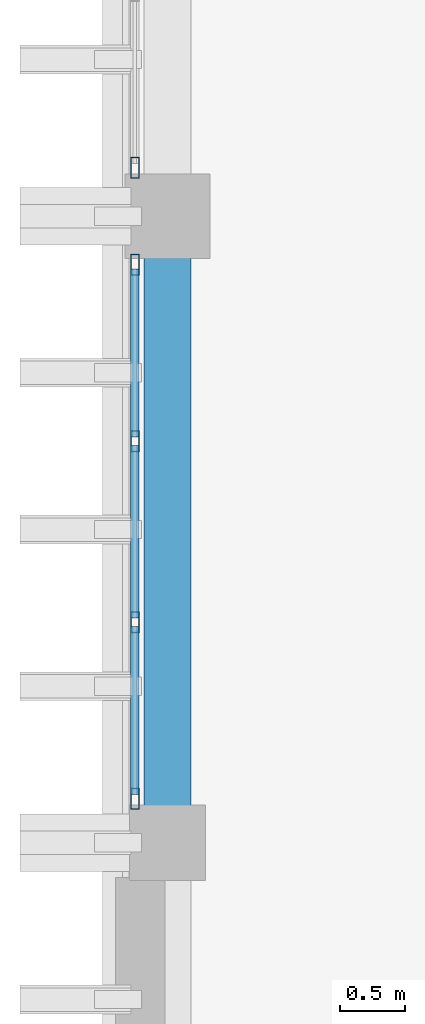
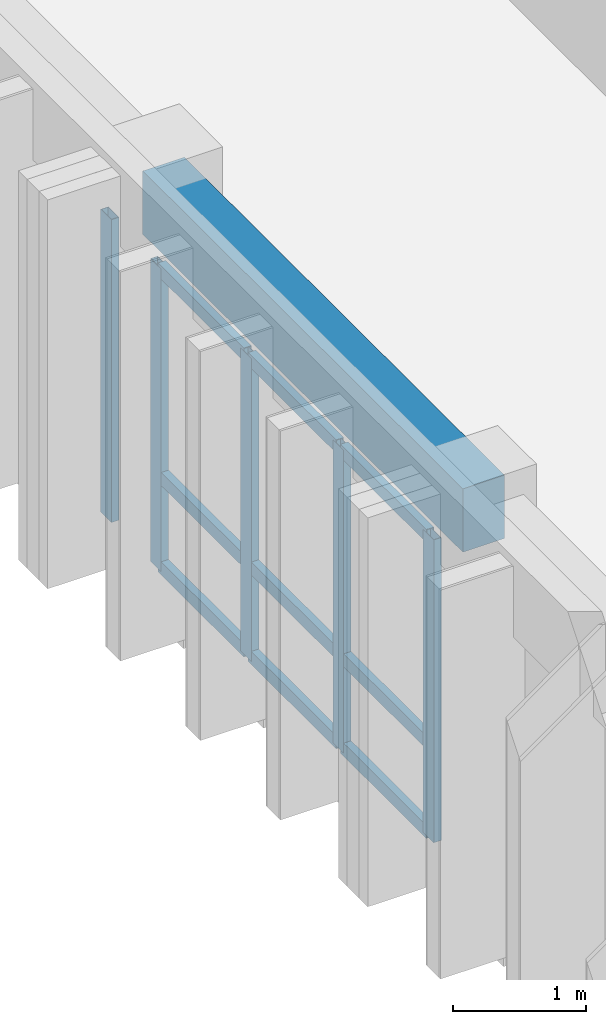
# One storey, part 11 of 49: 14 members, 1 beam, 2 elements without a shape of their own.
"""IFC4 building model written with IfcOpenShell, lengths in metres."""

import ifcopenshell
import ifcopenshell.guid

model = None  # the IFC model being written
_history = None  # IfcOwnerHistory: only IFC2X3 demands one
_inside = {}  # id of a spatial element -> (the spatial element, [elements in it])
_under = {}  # id of a project, library or spatial element -> (it, [spatial elements below it])
_declared = {}  # id of a project -> (the project, [libraries it declares])
_typed = {}  # id of a type object -> (the type object, [elements of that type])
_made_of = {}  # id of a material, layer set ... -> (it, [elements and type objects made of it])


def new_model(schema):
    """Start an empty IFC model of exactly this schema.

    Asked for "IFC4X3", IfcOpenShell would pick the latest addendum, in which some entities
    have other attributes; the version numbers below select the first issue.
    IFC2X3 requires an IfcOwnerHistory on every rooted entity: one is made here for all.
    """
    global model, _history
    if schema == "IFC4X3":
        model = ifcopenshell.file(schema_version=(4, 3, 0, 0))
    else:
        model = ifcopenshell.file(schema=schema)
    _inside.clear()
    _under.clear()
    _declared.clear()
    _typed.clear()
    _made_of.clear()
    _history = None
    if model.schema == "IFC2X3":
        org = make("IfcOrganization", Name="unknown")
        user = make(
            "IfcPersonAndOrganization",
            ThePerson=make("IfcPerson", FamilyName="unknown"),
            TheOrganization=org,
        )
        app = make(
            "IfcApplication",
            ApplicationDeveloper=org,
            Version="unknown",
            ApplicationFullName="unknown",
            ApplicationIdentifier="unknown",
        )
        _history = make(
            "IfcOwnerHistory",
            OwningUser=user,
            OwningApplication=app,
            ChangeAction="ADDED",
            CreationDate=0,
        )
    return model


def make(cls, **values):
    """One entity of the class cls with the attributes given. An attribute that is None is left unset."""
    return model.create_entity(
        cls, **{name: value for name, value in values.items() if value is not None}
    )


def rooted(cls, **values):
    """An entity with a GlobalId (a new one), such as an element, a storey or a relation."""
    return make(cls, GlobalId=ifcopenshell.guid.new(), OwnerHistory=_history, **values)


def si_unit(unit_type, name, prefix=None):
    """IfcSIUnit, for example si_unit("LENGTHUNIT", "METRE", prefix="MILLI")."""
    return make("IfcSIUnit", UnitType=unit_type, Prefix=prefix, Name=name)


def assignment(units):
    """IfcUnitAssignment: the units of a project."""
    return None if units is None else make("IfcUnitAssignment", Units=units)


def point(xyz):
    """IfcCartesianPoint."""
    return None if xyz is None else make("IfcCartesianPoint", Coordinates=xyz)


def direction(xyz):
    """IfcDirection."""
    return None if xyz is None else make("IfcDirection", DirectionRatios=xyz)


def frame(location, z_axis=None, x_axis=None):
    """IfcAxis2Placement3D, a coordinate frame: its origin and axes. An axis left out is left unset."""
    return make(
        "IfcAxis2Placement3D",
        Location=point(location),
        Axis=direction(z_axis),
        RefDirection=direction(x_axis),
    )


def frame_2d(location, x_axis=None):
    """IfcAxis2Placement2D, a coordinate frame in the plane: its origin and x axis."""
    return make(
        "IfcAxis2Placement2D", Location=point(location), RefDirection=direction(x_axis)
    )


def origin():
    """The frame at (0, 0, 0) with its axes left unset."""
    return frame((0.0, 0.0, 0.0))


def origin_2d():
    """The frame at (0, 0) in the plane with its x axis left unset."""
    return frame_2d((0.0, 0.0))


def place(relative_to, where):
    """IfcLocalPlacement: puts the frame where relative to a parent placement (None: the world)."""
    return make(
        "IfcLocalPlacement", PlacementRelTo=relative_to, RelativePlacement=where
    )


def context(
    kind, dimensions, precision=None, world=None, true_north=None, identifier=None
):
    """IfcGeometricRepresentationContext, for example the 3D "Model" context."""
    return make(
        "IfcGeometricRepresentationContext",
        ContextIdentifier=identifier,
        ContextType=kind,
        CoordinateSpaceDimension=dimensions,
        Precision=precision,
        WorldCoordinateSystem=world,
        TrueNorth=true_north,
    )


def subcontext(parent, identifier, kind, view, scale=None):
    """IfcGeometricRepresentationSubContext, for example "Body" below "Model"."""
    return make(
        "IfcGeometricRepresentationSubContext",
        ContextIdentifier=identifier,
        ContextType=kind,
        ParentContext=parent,
        TargetScale=scale,
        TargetView=view,
    )


def project(units=None, contexts=None):
    """IfcProject with its units and contexts."""
    return rooted(
        "IfcProject",
        Name="project",
        RepresentationContexts=contexts,
        UnitsInContext=assignment(units),
    )


def spatial(cls, under=None, at=None, **own):
    """A site, building, storey or space (cls), placed at a placement, below another one or the project."""
    s = rooted(cls, ObjectPlacement=at, **own)
    if under is not None:
        _under.setdefault(under.id(), (under, []))[1].append(s)
    return s


def profile(cls, at=None, kind="AREA", **sizes):
    """A parametric profile (cls). Its sizes go by their IFC names, for example OverallWidth=200.0."""
    return make(cls, ProfileType=kind, Position=at, **sizes)


def rectangle(**sizes):
    """IfcRectangleProfileDef."""
    return profile("IfcRectangleProfileDef", **sizes)


def hollow_rectangle(**sizes):
    """IfcRectangleHollowProfileDef."""
    return profile("IfcRectangleHollowProfileDef", **sizes)


def extrude(swept, where, along, depth):
    """IfcExtrudedAreaSolid: the profile swept, set in the frame where, extruded along a direction by depth."""
    return make(
        "IfcExtrudedAreaSolid",
        SweptArea=swept,
        Position=where,
        ExtrudedDirection=direction(along),
        Depth=depth,
    )


def shape(context_of_items, identifier, shape_type, items):
    """IfcShapeRepresentation: the items that make up one representation, for example the "Body"."""
    return make(
        "IfcShapeRepresentation",
        ContextOfItems=context_of_items,
        RepresentationIdentifier=identifier,
        RepresentationType=shape_type,
        Items=items,
    )


def material(Name=None, Category=None):
    """IfcMaterial."""
    return make("IfcMaterial", Name=Name, Category=Category)


def layer(
    of_material, thickness, ventilated=None, Name=None, Category=None, Priority=None
):
    """IfcMaterialLayer: one layer of a wall or slab, of a material (None: an air gap)."""
    return make(
        "IfcMaterialLayer",
        Material=of_material,
        LayerThickness=thickness,
        IsVentilated=ventilated,
        Name=Name,
        Category=Category,
        Priority=Priority,
    )


def layer_set(layers, Name=None):
    """IfcMaterialLayerSet."""
    return make("IfcMaterialLayerSet", MaterialLayers=layers, LayerSetName=Name)


def material_profile(
    of_material, cross_section, Name=None, Category=None, Priority=None
):
    """IfcMaterialProfile: a cross section and its material."""
    return make(
        "IfcMaterialProfile",
        Name=Name,
        Material=of_material,
        Profile=cross_section,
        Priority=Priority,
        Category=Category,
    )


def profile_set(profiles, Name=None, composite=None):
    """IfcMaterialProfileSet."""
    return make(
        "IfcMaterialProfileSet",
        Name=Name,
        MaterialProfiles=profiles,
        CompositeProfile=composite,
    )


def made_of(thing, what):
    """Note that an element or type object is made of a material, layer set ...; save() writes the relation."""
    if what is not None:
        _made_of.setdefault(what.id(), (what, []))[1].append(thing)
    return thing


def type_object(cls, material=None, **own):
    """A type object (cls), such as IfcWallType, which elements share."""
    return made_of(rooted(cls, **own), material)


def element(
    cls,
    number,
    at=None,
    inside=None,
    cuts=None,
    type_object=None,
    material=None,
    context=None,
    identifier="Body",
    shape_type=None,
    held_by="IfcProductDefinitionShape",
    body=None,
    shapes=None,
    **own,
):
    """One element of the class cls, such as IfcWall. Its Tag is "e" and its number.

    at: its placement. inside: the storey or other place that contains it. cuts: it is an
    opening in that element (IfcRelVoidsElement). A single representation is given by context,
    identifier, shape_type and body (its items); several are given by shapes. held_by: the class
    of the entity that holds the representations. save() writes the other relations.
    """
    e = rooted(cls, Tag="e%d" % number, ObjectPlacement=at, **own)
    if body is not None:
        shapes = [shape(context, identifier, shape_type, body)]
    if shapes is not None:
        e.Representation = make(held_by, Representations=shapes)
    if inside is not None:
        _inside.setdefault(inside.id(), (inside, []))[1].append(e)
    if cuts is not None:
        rooted(
            "IfcRelVoidsElement", RelatingBuildingElement=cuts, RelatedOpeningElement=e
        )
    if type_object is not None:
        _typed.setdefault(type_object.id(), (type_object, []))[1].append(e)
    return made_of(e, material)


def aggregate(whole, parts):
    """IfcRelAggregates: a whole, such as a stair, and the parts it consists of."""
    return rooted("IfcRelAggregates", RelatingObject=whole, RelatedObjects=parts)


def save(model, path):
    """Write the relations noted so far, then the file.

    IfcRelAggregates (storeys below a building ...), IfcRelContainedInSpatialStructure (elements
    in a storey), IfcRelDefinesByType, IfcRelAssociatesMaterial and IfcRelDeclares: one each for
    every whole, place, type object, material and project.
    """
    for whole, parts in _under.values():
        aggregate(whole, parts)
    for where, things in _inside.values():
        rooted(
            "IfcRelContainedInSpatialStructure",
            RelatedElements=things,
            RelatingStructure=where,
        )
    for kind, things in _typed.values():
        rooted("IfcRelDefinesByType", RelatedObjects=things, RelatingType=kind)
    for what, things in _made_of.values():
        rooted("IfcRelAssociatesMaterial", RelatedObjects=things, RelatingMaterial=what)
    for by, libraries in _declared.values():
        rooted("IfcRelDeclares", RelatingContext=by, RelatedDefinitions=libraries)
    model.write(path)


model = new_model("IFC4")

# Units and contexts
model_context = context("Model", 3, precision=1e-05, world=origin(), true_north=direction((0.0, 1.0)))
body_context = subcontext(model_context, "Body", "Model", "MODEL_VIEW")
ifc_project = project(units=[si_unit("LENGTHUNIT", "METRE"), si_unit("AREAUNIT", "SQUARE_METRE"), si_unit("VOLUMEUNIT", "CUBIC_METRE"), si_unit("PLANEANGLEUNIT", "RADIAN"), si_unit("MASSUNIT", "GRAM", prefix="KILO")], contexts=[model_context])

# Site, building, storey
site_placement = place(None, origin())
site = spatial("IfcSite", under=ifc_project, at=site_placement, CompositionType="ELEMENT")
building_placement = place(site_placement, origin())
building = spatial("IfcBuilding", under=site, at=building_placement, Name="Nakhvara Creek Congress Hotel", CompositionType="ELEMENT")
storey_placement = place(building_placement, frame((0.0, 0.0, 39.0)))
storey = spatial("IfcBuildingStorey", under=building, at=storey_placement, Name="L09", CompositionType="ELEMENT", Elevation=39.0)

# Beam
ifc_material_1 = material(Name="Concrete C40/50", Category="concrete")
ifc_material_profile_1 = material_profile(ifc_material_1, rectangle(XDim=0.360107421875, YDim=0.580078125, at=origin_2d()), Name="RC-BM 360x580", Category="LoadBearing")
ifc_profile_set_1 = profile_set([ifc_material_profile_1], Name="Concrete C40/50")
beam_type = type_object("IfcBeamType", Name="BM-RC-360X580", PredefinedType="BEAM", material=ifc_profile_set_1)
beam_placement = place(storey_placement, frame((149.449951171875, 81.60009765625, 3.070068359375), z_axis=(0.0, 1.0, 0.0), x_axis=(-1.0, 0.0, 0.0)))
element("IfcBeam", 1, at=beam_placement, inside=storey, type_object=beam_type, Name="Beam B09-L09-2541", PredefinedType="BEAM", context=body_context, shape_type="SweptSolid", body=[
    extrude(rectangle(XDim=0.360107421875, YDim=0.580078125, at=origin_2d()), origin(), (0.0, 0.0, 1.0), 4.7998046875),
])

# Curtain wall, members
ifc_material_2 = material(Name="Bronze-anodised aluminium AW-6063-T6 and double-silver low-E glass", Category="aluminium")
ifc_layer = layer(ifc_material_2, 0.199951171875)
ifc_layer_set = layer_set([ifc_layer], Name="Bronze-anodised aluminium AW-6063-T6 and double-silver low-E glass")
curtain_wall_type = type_object("IfcCurtainWallType", Name="CW-HTL-UNIT", PredefinedType="USERDEFINED", material=ifc_layer_set)
curtain_wall_1_placement = place(storey_placement, origin())
curtain_wall_1 = element("IfcCurtainWall", 2, at=curtain_wall_1_placement, inside=storey, type_object=curtain_wall_type, Name="Curtain Wall CW302", ObjectType="UNITISED", PredefinedType="USERDEFINED")
ifc_material_3 = material(Name="Bronze-anodised aluminium AW-6063-T6", Category="aluminium")
ifc_material_profile_2 = material_profile(ifc_material_3, hollow_rectangle(XDim=0.06494140625, YDim=0.159912109375, WallThickness=0.00390625, at=origin_2d()), Name="ALU-MULL 65x160x4", Category="LoadBearing")
ifc_profile_set_2 = profile_set([ifc_material_profile_2], Name="Bronze-anodised aluminium AW-6063-T6")
member_type_1 = type_object("IfcMemberType", Name="CW-MULL-160", PredefinedType="MULLION", material=ifc_profile_set_2)
member_1_placement = place(storey_placement, frame((149.199951171875, 81.9375, 0.0), z_axis=(0.0, 0.0, 1.0), x_axis=(-1.0, 0.0, 0.0)))
member_1 = element("IfcMember", 3, at=member_1_placement, type_object=member_type_1, Name="CW302 mullion 1", PredefinedType="MULLION", context=body_context, shape_type="SweptSolid", body=[
    extrude(hollow_rectangle(XDim=0.06494140625, YDim=0.159912109375, WallThickness=0.00390625, at=origin_2d()), origin(), (0.0, 0.0, 1.0), 2.77197265625),
])
member_2_placement = place(storey_placement, frame((149.199951171875, 83.2900390625, 0.0), z_axis=(0.0, 0.0, 1.0), x_axis=(-1.0, 0.0, 0.0)))
member_2 = element("IfcMember", 4, at=member_2_placement, type_object=member_type_1, Name="CW302 mullion 2", PredefinedType="MULLION", context=body_context, shape_type="SweptSolid", body=[
    extrude(hollow_rectangle(XDim=0.06494140625, YDim=0.159912109375, WallThickness=0.00390625, at=origin_2d()), origin(), (0.0, 0.0, 1.0), 2.77197265625),
])
member_3_placement = place(storey_placement, frame((149.199951171875, 84.675048828125, 0.0), z_axis=(0.0, 0.0, 1.0), x_axis=(-1.0, 0.0, 0.0)))
member_3 = element("IfcMember", 5, at=member_3_placement, type_object=member_type_1, Name="CW302 mullion 3", PredefinedType="MULLION", context=body_context, shape_type="SweptSolid", body=[
    extrude(hollow_rectangle(XDim=0.06494140625, YDim=0.159912109375, WallThickness=0.00390625, at=origin_2d()), origin(), (0.0, 0.0, 1.0), 2.77197265625),
])
member_4_placement = place(storey_placement, frame((149.199951171875, 86.027587890625, 0.0), z_axis=(0.0, 0.0, 1.0), x_axis=(-1.0, 0.0, 0.0)))
member_4 = element("IfcMember", 6, at=member_4_placement, type_object=member_type_1, Name="CW302 mullion 4", PredefinedType="MULLION", context=body_context, shape_type="SweptSolid", body=[
    extrude(hollow_rectangle(XDim=0.06494140625, YDim=0.159912109375, WallThickness=0.00390625, at=origin_2d()), origin(), (0.0, 0.0, 1.0), 2.77197265625),
])

# Curtain wall, member
curtain_wall_2_placement = place(storey_placement, origin())
curtain_wall_2 = element("IfcCurtainWall", 7, at=curtain_wall_2_placement, inside=storey, type_object=curtain_wall_type, Name="Curtain Wall CW304", ObjectType="UNITISED", PredefinedType="USERDEFINED")
member_5_placement = place(storey_placement, frame((149.199951171875, 86.7724609375, 0.0), z_axis=(0.0, 0.0, 1.0), x_axis=(-1.0, 0.0, 0.0)))
member_5 = element("IfcMember", 8, at=member_5_placement, type_object=member_type_1, Name="CW304 mullion 1", PredefinedType="MULLION", context=body_context, shape_type="SweptSolid", body=[
    extrude(hollow_rectangle(XDim=0.06494140625, YDim=0.159912109375, WallThickness=0.00390625, at=origin_2d()), origin(), (0.0, 0.0, 1.0), 2.77197265625),
])
aggregate(curtain_wall_2, [member_5])

# Member
ifc_material_profile_3 = material_profile(ifc_material_3, hollow_rectangle(XDim=0.06494140625, YDim=0.1201171875, WallThickness=0.00390625, at=origin_2d()), Name="ALU-TRAN 65x120x4", Category="LoadBearing")
ifc_profile_set_3 = profile_set([ifc_material_profile_3], Name="Bronze-anodised aluminium AW-6063-T6")
member_type_2 = type_object("IfcMemberType", Name="CW-TRAN-120", PredefinedType="USERDEFINED", material=ifc_profile_set_3)
member_6_placement = place(storey_placement, frame((149.199951171875, 81.969970703125, 0.032470703125), z_axis=(0.0, 1.0, 0.0), x_axis=(-1.0, 0.0, 0.0)))
member_6 = element("IfcMember", 9, at=member_6_placement, type_object=member_type_2, Name="CW302 transom 1.1", ObjectType="TRANSOM", PredefinedType="USERDEFINED", context=body_context, shape_type="SweptSolid", body=[
    extrude(hollow_rectangle(XDim=0.06494140625, YDim=0.1201171875, WallThickness=0.00390625, at=origin_2d()), origin(), (0.0, 0.0, 1.0), 1.28759765625),
])

member_7_placement = place(storey_placement, frame((149.199951171875, 81.969970703125, 0.85009765625), z_axis=(0.0, 1.0, 0.0), x_axis=(-1.0, 0.0, 0.0)))
member_7 = element("IfcMember", 10, at=member_7_placement, type_object=member_type_2, Name="CW302 transom 1.2", ObjectType="TRANSOM", PredefinedType="USERDEFINED", context=body_context, shape_type="SweptSolid", body=[
    extrude(hollow_rectangle(XDim=0.06494140625, YDim=0.1201171875, WallThickness=0.00390625, at=origin_2d()), origin(), (0.0, 0.0, 1.0), 1.28759765625),
])

member_8_placement = place(storey_placement, frame((149.199951171875, 81.969970703125, 2.739501953125), z_axis=(0.0, 1.0, 0.0), x_axis=(-1.0, 0.0, 0.0)))
member_8 = element("IfcMember", 11, at=member_8_placement, type_object=member_type_2, Name="CW302 transom 1.3", ObjectType="TRANSOM", PredefinedType="USERDEFINED", context=body_context, shape_type="SweptSolid", body=[
    extrude(hollow_rectangle(XDim=0.06494140625, YDim=0.1201171875, WallThickness=0.00390625, at=origin_2d()), origin(), (0.0, 0.0, 1.0), 1.28759765625),
])

member_9_placement = place(storey_placement, frame((149.199951171875, 83.322509765625, 0.032470703125), z_axis=(0.0, 1.0, 0.0), x_axis=(-1.0, 0.0, 0.0)))
member_9 = element("IfcMember", 12, at=member_9_placement, type_object=member_type_2, Name="CW302 transom 2.1", ObjectType="TRANSOM", PredefinedType="USERDEFINED", context=body_context, shape_type="SweptSolid", body=[
    extrude(hollow_rectangle(XDim=0.06494140625, YDim=0.1201171875, WallThickness=0.00390625, at=origin_2d()), origin(), (0.0, 0.0, 1.0), 1.320068359375),
])

member_10_placement = place(storey_placement, frame((149.199951171875, 83.322509765625, 0.85009765625), z_axis=(0.0, 1.0, 0.0), x_axis=(-1.0, 0.0, 0.0)))
member_10 = element("IfcMember", 13, at=member_10_placement, type_object=member_type_2, Name="CW302 transom 2.2", ObjectType="TRANSOM", PredefinedType="USERDEFINED", context=body_context, shape_type="SweptSolid", body=[
    extrude(hollow_rectangle(XDim=0.06494140625, YDim=0.1201171875, WallThickness=0.00390625, at=origin_2d()), origin(), (0.0, 0.0, 1.0), 1.320068359375),
])

member_11_placement = place(storey_placement, frame((149.199951171875, 83.322509765625, 2.739501953125), z_axis=(0.0, 1.0, 0.0), x_axis=(-1.0, 0.0, 0.0)))
member_11 = element("IfcMember", 14, at=member_11_placement, type_object=member_type_2, Name="CW302 transom 2.3", ObjectType="TRANSOM", PredefinedType="USERDEFINED", context=body_context, shape_type="SweptSolid", body=[
    extrude(hollow_rectangle(XDim=0.06494140625, YDim=0.1201171875, WallThickness=0.00390625, at=origin_2d()), origin(), (0.0, 0.0, 1.0), 1.320068359375),
])

member_12_placement = place(storey_placement, frame((149.199951171875, 84.70751953125, 0.032470703125), z_axis=(0.0, 1.0, 0.0), x_axis=(-1.0, 0.0, 0.0)))
member_12 = element("IfcMember", 15, at=member_12_placement, type_object=member_type_2, Name="CW302 transom 3.1", ObjectType="TRANSOM", PredefinedType="USERDEFINED", context=body_context, shape_type="SweptSolid", body=[
    extrude(hollow_rectangle(XDim=0.06494140625, YDim=0.1201171875, WallThickness=0.00390625, at=origin_2d()), origin(), (0.0, 0.0, 1.0), 1.28759765625),
])

member_13_placement = place(storey_placement, frame((149.199951171875, 84.70751953125, 0.85009765625), z_axis=(0.0, 1.0, 0.0), x_axis=(-1.0, 0.0, 0.0)))
member_13 = element("IfcMember", 16, at=member_13_placement, type_object=member_type_2, Name="CW302 transom 3.2", ObjectType="TRANSOM", PredefinedType="USERDEFINED", context=body_context, shape_type="SweptSolid", body=[
    extrude(hollow_rectangle(XDim=0.06494140625, YDim=0.1201171875, WallThickness=0.00390625, at=origin_2d()), origin(), (0.0, 0.0, 1.0), 1.28759765625),
])

member_14_placement = place(storey_placement, frame((149.199951171875, 84.70751953125, 2.739501953125), z_axis=(0.0, 1.0, 0.0), x_axis=(-1.0, 0.0, 0.0)))
member_14 = element("IfcMember", 17, at=member_14_placement, type_object=member_type_2, Name="CW302 transom 3.3", ObjectType="TRANSOM", PredefinedType="USERDEFINED", context=body_context, shape_type="SweptSolid", body=[
    extrude(hollow_rectangle(XDim=0.06494140625, YDim=0.1201171875, WallThickness=0.00390625, at=origin_2d()), origin(), (0.0, 0.0, 1.0), 1.28759765625),
])

aggregate(curtain_wall_1, [member_1, member_2, member_3, member_4, member_6, member_7, member_8, member_9, member_10, member_11, member_12, member_13, member_14])

save(model, "model.ifc")
